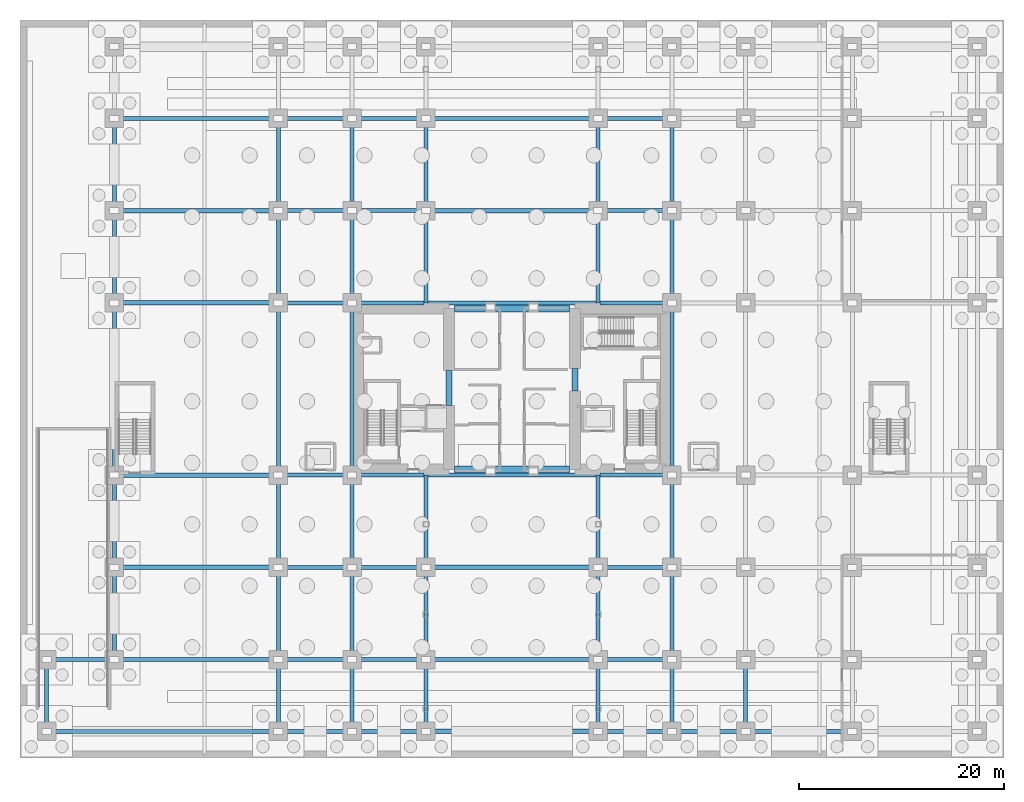
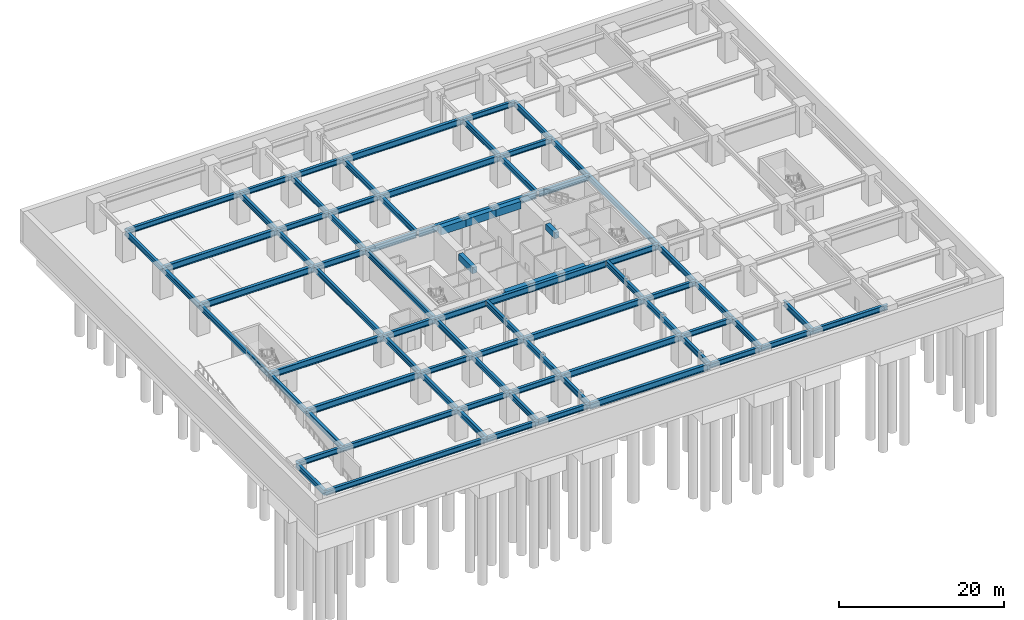
# One storey, part 6 of 23: 80 beams.
"""IFC4 building model written with IfcOpenShell, lengths in metres."""

from ifc_helpers import new_model, si_unit, direction, frame, origin, origin_2d, place, context, subcontext, project, spatial, rectangle, i_section, extrude, material, material_profile, profile_set, type_object, element, save


model = new_model("IFC4")

# Units and contexts
model_context = context("Model", 3, precision=1e-05, world=origin(), true_north=direction((0.0, 1.0)))
body_context = subcontext(model_context, "Body", "Model", "MODEL_VIEW")
ifc_project = project(units=[si_unit("LENGTHUNIT", "METRE"), si_unit("AREAUNIT", "SQUARE_METRE"), si_unit("VOLUMEUNIT", "CUBIC_METRE"), si_unit("PLANEANGLEUNIT", "RADIAN"), si_unit("MASSUNIT", "GRAM", prefix="KILO")], contexts=[model_context])

# Site, building, storey
site_placement = place(None, origin())
site = spatial("IfcSite", under=ifc_project, at=site_placement, CompositionType="ELEMENT")
building_placement = place(site_placement, origin())
building = spatial("IfcBuilding", under=site, at=building_placement, Name="Kiyonajd Concourse Tower", CompositionType="ELEMENT")
storey_placement = place(building_placement, frame((0.0, 0.0, -9.0)))
storey = spatial("IfcBuildingStorey", under=building, at=storey_placement, Name="B2", CompositionType="ELEMENT", Elevation=-9.0)

# Beams
ifc_material_1 = material(Name="Steel ASTM A992 Grade 50", Category="steel")
ifc_material_profile_1 = material_profile(ifc_material_1, i_section(OverallWidth=0.423095703125, OverallDepth=0.93310546875, WebThickness=0.02392578125, FlangeThickness=0.042724609375, at=origin_2d()), Name="W920X446")
ifc_profile_set_1 = profile_set([ifc_material_profile_1], Name="Steel ASTM A992 Grade 50")
beam_type_1 = type_object("IfcBeamType", Name="BM-AUD-920A", PredefinedType="BEAM", material=ifc_profile_set_1)
for number, where, z_axis, x_axis, name in (
    (1, (9.199951171875, 18.60009765625, 3.71337890625), (1.0, 0.0, 0.0), (0.0, 1.0, 0.0), "B2 Auditorium Clear Span Girder"),
    (2, (9.199951171875, 27.60009765625, 3.71337890625), (1.0, 0.0, 0.0), (0.0, 1.0, 0.0), "B2 Auditorium Clear Span Girder"),
    (3, (9.199951171875, 44.39990234375, 3.71337890625), (1.0, 0.0, 0.0), (0.0, 1.0, 0.0), "B2 Auditorium Clear Span Girder"),
    (4, (9.199951171875, 53.39990234375, 3.71337890625), (1.0, 0.0, 0.0), (0.0, 1.0, 0.0), "B2 Auditorium Clear Span Girder"),
):
    element("IfcBeam", number, at=place(storey_placement, frame(where, z_axis=z_axis, x_axis=x_axis)), inside=storey, type_object=beam_type_1, Name=name, PredefinedType="BEAM", context=body_context, shape_type="SweptSolid", body=[
        extrude(i_section(OverallWidth=0.423095703125, OverallDepth=0.93310546875, WebThickness=0.02392578125, FlangeThickness=0.042724609375, at=origin_2d()), origin(), (0.0, 0.0, 1.0), 16.0),
    ])
ifc_material_profile_2 = material_profile(ifc_material_1, i_section(OverallWidth=0.41796875, OverallDepth=0.912109375, WebThickness=0.019287109375, FlangeThickness=0.031982421875, at=origin_2d()), Name="W920X342")
ifc_profile_set_2 = profile_set([ifc_material_profile_2], Name="Steel ASTM A992 Grade 50")
beam_type_2 = type_object("IfcBeamType", Name="BM-CON-920B", PredefinedType="BEAM", material=ifc_profile_set_2)
for number, where, z_axis, x_axis, name in (
    (5, (39.60009765625, 2.60009765625, 3.72412109375), (1.0, 0.0, 0.0), (0.0, 1.0, 0.0), "B2 Concourse Clear Span Girder"),
    (6, (39.60009765625, 9.60009765625, 3.72412109375), (1.0, 0.0, 0.0), (0.0, 1.0, 0.0), "B2 Concourse Clear Span Girder"),
    (7, (39.60009765625, 18.60009765625, 3.72412109375), (1.0, 0.0, 0.0), (0.0, 1.0, 0.0), "B2 Concourse Clear Span Girder"),
):
    element("IfcBeam", number, at=place(storey_placement, frame(where, z_axis=z_axis, x_axis=x_axis)), inside=storey, type_object=beam_type_2, Name=name, PredefinedType="BEAM", context=body_context, shape_type="SweptSolid", body=[
        extrude(i_section(OverallWidth=0.41796875, OverallDepth=0.912109375, WebThickness=0.019287109375, FlangeThickness=0.031982421875, at=origin_2d()), origin(), (0.0, 0.0, 1.0), 16.7998046875),
    ])
for number, where, z_axis, x_axis, name in (
    (8, (39.79052734375, 27.60009765625, 3.72412109375), (1.0, 0.0, 0.0), (0.0, 1.0, 0.0), "B2 Concourse Clear Span Girder"),
    (9, (39.79052734375, 44.39990234375, 3.72412109375), (1.0, 0.0, 0.0), (0.0, 1.0, 0.0), "B2 Concourse Clear Span Girder"),
):
    element("IfcBeam", number, at=place(storey_placement, frame(where, z_axis=z_axis, x_axis=x_axis)), inside=storey, type_object=beam_type_2, Name=name, PredefinedType="BEAM", context=body_context, shape_type="SweptSolid", body=[
        extrude(i_section(OverallWidth=0.41796875, OverallDepth=0.912109375, WebThickness=0.019287109375, FlangeThickness=0.031982421875, at=origin_2d()), origin(), (0.0, 0.0, 1.0), 16.4189453125),
    ])
for number, where, z_axis, x_axis, name in (
    (10, (39.60009765625, 53.39990234375, 3.72412109375), (1.0, 0.0, 0.0), (0.0, 1.0, 0.0), "B2 Concourse Clear Span Girder"),
    (11, (39.60009765625, 62.39990234375, 3.72412109375), (1.0, 0.0, 0.0), (0.0, 1.0, 0.0), "B2 Concourse Clear Span Girder"),
):
    element("IfcBeam", number, at=place(storey_placement, frame(where, z_axis=z_axis, x_axis=x_axis)), inside=storey, type_object=beam_type_2, Name=name, PredefinedType="BEAM", context=body_context, shape_type="SweptSolid", body=[
        extrude(i_section(OverallWidth=0.41796875, OverallDepth=0.912109375, WebThickness=0.019287109375, FlangeThickness=0.031982421875, at=origin_2d()), origin(), (0.0, 0.0, 1.0), 16.7998046875),
    ])
ifc_material_2 = material(Name="Concrete C70/85", Category="concrete")
ifc_material_profile_3 = material_profile(ifc_material_2, rectangle(XDim=0.699951171875, YDim=1.10009765625, at=origin_2d()), Name="RCBM-700x1100")
ifc_profile_set_3 = profile_set([ifc_material_profile_3], Name="Concrete C70/85")
beam_type_3 = type_object("IfcBeamType", Name="BM-COUP-1100", PredefinedType="LINTEL", material=ifc_profile_set_3)
beam_1_placement = place(storey_placement, frame((42.39990234375, 28.14990234375, 3.6298828125), z_axis=(1.0, 0.0, 0.0), x_axis=(0.0, 1.0, 0.0)))
element("IfcBeam", 12, at=beam_1_placement, inside=storey, type_object=beam_type_3, Name="B2 Core Coupling Beam S1", PredefinedType="LINTEL", context=body_context, shape_type="SweptSolid", body=[
    extrude(rectangle(XDim=0.699951171875, YDim=1.10009765625, at=origin_2d()), origin(), (0.0, 0.0, 1.0), 3.5),
])
beam_2_placement = place(storey_placement, frame((45.89990234375, 28.14990234375, 3.6298828125), z_axis=(1.0, 0.0, 0.0), x_axis=(0.0, 1.0, 0.0)))
element("IfcBeam", 13, at=beam_2_placement, inside=storey, type_object=beam_type_3, Name="B2 Core Coupling Beam S2", PredefinedType="LINTEL", context=body_context, shape_type="SweptSolid", body=[
    extrude(rectangle(XDim=0.699951171875, YDim=1.10009765625, at=origin_2d()), origin(), (0.0, 0.0, 1.0), 4.2001953125),
])
for number, where, z_axis, x_axis, name in (
    (14, (50.10009765625, 28.14990234375, 3.6298828125), (1.0, 0.0, 0.0), (0.0, 1.0, 0.0), "B2 Core Coupling Beam S3"),
    (15, (42.39990234375, 43.85009765625, 3.6298828125), (1.0, 0.0, 0.0), (0.0, 1.0, 0.0), "B2 Core Coupling Beam N1"),
):
    element("IfcBeam", number, at=place(storey_placement, frame(where, z_axis=z_axis, x_axis=x_axis)), inside=storey, type_object=beam_type_3, Name=name, PredefinedType="LINTEL", context=body_context, shape_type="SweptSolid", body=[
        extrude(rectangle(XDim=0.699951171875, YDim=1.10009765625, at=origin_2d()), origin(), (0.0, 0.0, 1.0), 3.5),
    ])
beam_3_placement = place(storey_placement, frame((45.89990234375, 43.85009765625, 3.6298828125), z_axis=(1.0, 0.0, 0.0), x_axis=(0.0, 1.0, 0.0)))
element("IfcBeam", 16, at=beam_3_placement, inside=storey, type_object=beam_type_3, Name="B2 Core Coupling Beam N2", PredefinedType="LINTEL", context=body_context, shape_type="SweptSolid", body=[
    extrude(rectangle(XDim=0.699951171875, YDim=1.10009765625, at=origin_2d()), origin(), (0.0, 0.0, 1.0), 4.2001953125),
])
beam_4_placement = place(storey_placement, frame((50.10009765625, 43.85009765625, 3.6298828125), z_axis=(1.0, 0.0, 0.0), x_axis=(0.0, 1.0, 0.0)))
element("IfcBeam", 17, at=beam_4_placement, inside=storey, type_object=beam_type_3, Name="B2 Core Coupling Beam N3", PredefinedType="LINTEL", context=body_context, shape_type="SweptSolid", body=[
    extrude(rectangle(XDim=0.699951171875, YDim=1.10009765625, at=origin_2d()), origin(), (0.0, 0.0, 1.0), 3.5),
])
ifc_material_3 = material(Name="Concrete C60/75", Category="concrete")
ifc_material_profile_4 = material_profile(ifc_material_3, rectangle(XDim=0.60009765625, YDim=0.89990234375, at=origin_2d()), Name="RCBM-600x900")
ifc_profile_set_4 = profile_set([ifc_material_profile_4], Name="Concrete C60/75")
beam_type_4 = type_object("IfcBeamType", Name="BM-COUP-900", PredefinedType="LINTEL", material=ifc_profile_set_4)
beam_5_placement = place(storey_placement, frame((41.85009765625, 34.39990234375, 3.6298828125), z_axis=(0.0, 1.0, 0.0), x_axis=(-1.0, 0.0, 0.0)))
element("IfcBeam", 18, at=beam_5_placement, inside=storey, type_object=beam_type_4, Name="B2 West Core Throat Coupling Lintel", PredefinedType="LINTEL", context=body_context, shape_type="SweptSolid", body=[
    extrude(rectangle(XDim=0.60009765625, YDim=0.89990234375, at=origin_2d()), origin(), (0.0, 0.0, 1.0), 3.400146484375),
])
beam_6_placement = place(storey_placement, frame((54.14990234375, 35.800048828125, 3.6298828125), z_axis=(0.0, 1.0, 0.0), x_axis=(-1.0, 0.0, 0.0)))
element("IfcBeam", 19, at=beam_6_placement, inside=storey, type_object=beam_type_4, Name="B2 East Core Throat Coupling Lintel", PredefinedType="LINTEL", context=body_context, shape_type="SweptSolid", body=[
    extrude(rectangle(XDim=0.60009765625, YDim=0.89990234375, at=origin_2d()), origin(), (0.0, 0.0, 1.0), 2.199951171875),
])
ifc_material_profile_5 = material_profile(ifc_material_1, i_section(OverallWidth=0.381103515625, OverallDepth=0.77294921875, WebThickness=0.0166015625, FlangeThickness=0.027099609375, at=origin_2d()), Name="W760X257")
ifc_profile_set_5 = profile_set([ifc_material_profile_5], Name="Steel ASTM A992 Grade 50")
beam_type_5 = type_object("IfcBeamType", Name="BM-POD-760", PredefinedType="BEAM", material=ifc_profile_set_5)
beam_7_placement = place(storey_placement, frame((2.60009765625, 2.60009765625, 3.79345703125), z_axis=(1.0, 0.0, 0.0), x_axis=(0.0, 1.0, 0.0)))
element("IfcBeam", 20, at=beam_7_placement, inside=storey, type_object=beam_type_5, Name="B2 Podium Primary Beam", PredefinedType="BEAM", context=body_context, shape_type="SweptSolid", body=[
    extrude(i_section(OverallWidth=0.381103515625, OverallDepth=0.77294921875, WebThickness=0.0166015625, FlangeThickness=0.027099609375, at=origin_2d()), origin(), (0.0, 0.0, 1.0), 22.599853515625),
])
beam_8_placement = place(storey_placement, frame((25.199951171875, 2.60009765625, 3.79345703125), z_axis=(1.0, 0.0, 0.0), x_axis=(0.0, 1.0, 0.0)))
element("IfcBeam", 21, at=beam_8_placement, inside=storey, type_object=beam_type_5, Name="B2 Podium Primary Beam", PredefinedType="BEAM", context=body_context, shape_type="SweptSolid", body=[
    extrude(i_section(OverallWidth=0.381103515625, OverallDepth=0.77294921875, WebThickness=0.0166015625, FlangeThickness=0.027099609375, at=origin_2d()), origin(), (0.0, 0.0, 1.0), 7.199951171875),
])
for number, where, z_axis, x_axis, name in (
    (22, (32.39990234375, 2.60009765625, 3.79345703125), (1.0, 0.0, 0.0), (0.0, 1.0, 0.0), "B2 Podium Primary Beam"),
    (23, (56.39990234375, 2.60009765625, 3.79345703125), (1.0, 0.0, 0.0), (0.0, 1.0, 0.0), "B2 Podium Primary Beam"),
):
    element("IfcBeam", number, at=place(storey_placement, frame(where, z_axis=z_axis, x_axis=x_axis)), inside=storey, type_object=beam_type_5, Name=name, PredefinedType="BEAM", context=body_context, shape_type="SweptSolid", body=[
        extrude(i_section(OverallWidth=0.381103515625, OverallDepth=0.77294921875, WebThickness=0.0166015625, FlangeThickness=0.027099609375, at=origin_2d()), origin(), (0.0, 0.0, 1.0), 7.2001953125),
    ])
beam_9_placement = place(storey_placement, frame((63.60009765625, 2.60009765625, 3.79345703125), z_axis=(1.0, 0.0, 0.0), x_axis=(0.0, 1.0, 0.0)))
element("IfcBeam", 24, at=beam_9_placement, inside=storey, type_object=beam_type_5, Name="B2 Podium Primary Beam", PredefinedType="BEAM", context=body_context, shape_type="SweptSolid", body=[
    extrude(i_section(OverallWidth=0.381103515625, OverallDepth=0.77294921875, WebThickness=0.0166015625, FlangeThickness=0.027099609375, at=origin_2d()), origin(), (0.0, 0.0, 1.0), 7.199951171875),
])
beam_10_placement = place(storey_placement, frame((70.800048828125, 2.60009765625, 3.79345703125), z_axis=(1.0, 0.0, 0.0), x_axis=(0.0, 1.0, 0.0)))
element("IfcBeam", 25, at=beam_10_placement, inside=storey, type_object=beam_type_5, Name="B2 Podium Primary Beam", PredefinedType="BEAM", context=body_context, shape_type="SweptSolid", body=[
    extrude(i_section(OverallWidth=0.381103515625, OverallDepth=0.77294921875, WebThickness=0.0166015625, FlangeThickness=0.027099609375, at=origin_2d()), origin(), (0.0, 0.0, 1.0), 10.39990234375),
])
beam_11_placement = place(storey_placement, frame((2.60009765625, 9.60009765625, 3.79345703125), z_axis=(1.0, 0.0, 0.0), x_axis=(0.0, 1.0, 0.0)))
element("IfcBeam", 26, at=beam_11_placement, inside=storey, type_object=beam_type_5, Name="B2 Podium Primary Beam", PredefinedType="BEAM", context=body_context, shape_type="SweptSolid", body=[
    extrude(i_section(OverallWidth=0.381103515625, OverallDepth=0.77294921875, WebThickness=0.0166015625, FlangeThickness=0.027099609375, at=origin_2d()), origin(), (0.0, 0.0, 1.0), 22.599853515625),
])
beam_12_placement = place(storey_placement, frame((25.199951171875, 9.60009765625, 3.79345703125), z_axis=(1.0, 0.0, 0.0), x_axis=(0.0, 1.0, 0.0)))
element("IfcBeam", 27, at=beam_12_placement, inside=storey, type_object=beam_type_5, Name="B2 Podium Primary Beam", PredefinedType="BEAM", context=body_context, shape_type="SweptSolid", body=[
    extrude(i_section(OverallWidth=0.381103515625, OverallDepth=0.77294921875, WebThickness=0.0166015625, FlangeThickness=0.027099609375, at=origin_2d()), origin(), (0.0, 0.0, 1.0), 7.199951171875),
])
for number, where, z_axis, x_axis, name in (
    (28, (32.39990234375, 9.60009765625, 3.79345703125), (1.0, 0.0, 0.0), (0.0, 1.0, 0.0), "B2 Podium Primary Beam"),
    (29, (56.39990234375, 9.60009765625, 3.79345703125), (1.0, 0.0, 0.0), (0.0, 1.0, 0.0), "B2 Podium Primary Beam"),
):
    element("IfcBeam", number, at=place(storey_placement, frame(where, z_axis=z_axis, x_axis=x_axis)), inside=storey, type_object=beam_type_5, Name=name, PredefinedType="BEAM", context=body_context, shape_type="SweptSolid", body=[
        extrude(i_section(OverallWidth=0.381103515625, OverallDepth=0.77294921875, WebThickness=0.0166015625, FlangeThickness=0.027099609375, at=origin_2d()), origin(), (0.0, 0.0, 1.0), 7.2001953125),
    ])
beam_13_placement = place(storey_placement, frame((25.199951171875, 18.60009765625, 3.79345703125), z_axis=(1.0, 0.0, 0.0), x_axis=(0.0, 1.0, 0.0)))
element("IfcBeam", 30, at=beam_13_placement, inside=storey, type_object=beam_type_5, Name="B2 Podium Primary Beam", PredefinedType="BEAM", context=body_context, shape_type="SweptSolid", body=[
    extrude(i_section(OverallWidth=0.381103515625, OverallDepth=0.77294921875, WebThickness=0.0166015625, FlangeThickness=0.027099609375, at=origin_2d()), origin(), (0.0, 0.0, 1.0), 7.199951171875),
])
for number, where, z_axis, x_axis, name in (
    (31, (32.39990234375, 18.60009765625, 3.79345703125), (1.0, 0.0, 0.0), (0.0, 1.0, 0.0), "B2 Podium Primary Beam"),
    (32, (56.39990234375, 18.60009765625, 3.79345703125), (1.0, 0.0, 0.0), (0.0, 1.0, 0.0), "B2 Podium Primary Beam"),
):
    element("IfcBeam", number, at=place(storey_placement, frame(where, z_axis=z_axis, x_axis=x_axis)), inside=storey, type_object=beam_type_5, Name=name, PredefinedType="BEAM", context=body_context, shape_type="SweptSolid", body=[
        extrude(i_section(OverallWidth=0.381103515625, OverallDepth=0.77294921875, WebThickness=0.0166015625, FlangeThickness=0.027099609375, at=origin_2d()), origin(), (0.0, 0.0, 1.0), 7.2001953125),
    ])
beam_14_placement = place(storey_placement, frame((25.199951171875, 53.39990234375, 3.79345703125), z_axis=(1.0, 0.0, 0.0), x_axis=(0.0, 1.0, 0.0)))
element("IfcBeam", 33, at=beam_14_placement, inside=storey, type_object=beam_type_5, Name="B2 Podium Primary Beam", PredefinedType="BEAM", context=body_context, shape_type="SweptSolid", body=[
    extrude(i_section(OverallWidth=0.381103515625, OverallDepth=0.77294921875, WebThickness=0.0166015625, FlangeThickness=0.027099609375, at=origin_2d()), origin(), (0.0, 0.0, 1.0), 7.199951171875),
])
for number, where, z_axis, x_axis, name in (
    (34, (32.39990234375, 53.39990234375, 3.79345703125), (1.0, 0.0, 0.0), (0.0, 1.0, 0.0), "B2 Podium Primary Beam"),
    (35, (56.39990234375, 53.39990234375, 3.79345703125), (1.0, 0.0, 0.0), (0.0, 1.0, 0.0), "B2 Podium Primary Beam"),
):
    element("IfcBeam", number, at=place(storey_placement, frame(where, z_axis=z_axis, x_axis=x_axis)), inside=storey, type_object=beam_type_5, Name=name, PredefinedType="BEAM", context=body_context, shape_type="SweptSolid", body=[
        extrude(i_section(OverallWidth=0.381103515625, OverallDepth=0.77294921875, WebThickness=0.0166015625, FlangeThickness=0.027099609375, at=origin_2d()), origin(), (0.0, 0.0, 1.0), 7.2001953125),
    ])
beam_15_placement = place(storey_placement, frame((9.199951171875, 62.39990234375, 3.79345703125), z_axis=(1.0, 0.0, 0.0), x_axis=(0.0, 1.0, 0.0)))
element("IfcBeam", 36, at=beam_15_placement, inside=storey, type_object=beam_type_5, Name="B2 Podium Primary Beam", PredefinedType="BEAM", context=body_context, shape_type="SweptSolid", body=[
    extrude(i_section(OverallWidth=0.381103515625, OverallDepth=0.77294921875, WebThickness=0.0166015625, FlangeThickness=0.027099609375, at=origin_2d()), origin(), (0.0, 0.0, 1.0), 16.0),
])
beam_16_placement = place(storey_placement, frame((25.199951171875, 62.39990234375, 3.79345703125), z_axis=(1.0, 0.0, 0.0), x_axis=(0.0, 1.0, 0.0)))
element("IfcBeam", 37, at=beam_16_placement, inside=storey, type_object=beam_type_5, Name="B2 Podium Primary Beam", PredefinedType="BEAM", context=body_context, shape_type="SweptSolid", body=[
    extrude(i_section(OverallWidth=0.381103515625, OverallDepth=0.77294921875, WebThickness=0.0166015625, FlangeThickness=0.027099609375, at=origin_2d()), origin(), (0.0, 0.0, 1.0), 7.199951171875),
])
for number, where, z_axis, x_axis, name in (
    (38, (32.39990234375, 62.39990234375, 3.79345703125), (1.0, 0.0, 0.0), (0.0, 1.0, 0.0), "B2 Podium Primary Beam"),
    (39, (56.39990234375, 62.39990234375, 3.79345703125), (1.0, 0.0, 0.0), (0.0, 1.0, 0.0), "B2 Podium Primary Beam"),
):
    element("IfcBeam", number, at=place(storey_placement, frame(where, z_axis=z_axis, x_axis=x_axis)), inside=storey, type_object=beam_type_5, Name=name, PredefinedType="BEAM", context=body_context, shape_type="SweptSolid", body=[
        extrude(i_section(OverallWidth=0.381103515625, OverallDepth=0.77294921875, WebThickness=0.0166015625, FlangeThickness=0.027099609375, at=origin_2d()), origin(), (0.0, 0.0, 1.0), 7.2001953125),
    ])
beam_17_placement = place(storey_placement, frame((2.60009765625, 2.60009765625, 3.79345703125), z_axis=(0.0, 1.0, 0.0), x_axis=(-1.0, 0.0, 0.0)))
element("IfcBeam", 40, at=beam_17_placement, inside=storey, type_object=beam_type_5, Name="B2 Podium North South Beam", PredefinedType="BEAM", context=body_context, shape_type="SweptSolid", body=[
    extrude(i_section(OverallWidth=0.381103515625, OverallDepth=0.77294921875, WebThickness=0.0166015625, FlangeThickness=0.027099609375, at=origin_2d()), origin(), (0.0, 0.0, 1.0), 7.0),
])
for number, where, z_axis, x_axis, name in (
    (41, (9.199951171875, 9.60009765625, 3.79345703125), (0.0, 1.0, 0.0), (-1.0, 0.0, 0.0), "B2 Podium North South Beam"),
    (42, (9.199951171875, 18.60009765625, 3.79345703125), (0.0, 1.0, 0.0), (-1.0, 0.0, 0.0), "B2 Podium North South Beam"),
):
    element("IfcBeam", number, at=place(storey_placement, frame(where, z_axis=z_axis, x_axis=x_axis)), inside=storey, type_object=beam_type_5, Name=name, PredefinedType="BEAM", context=body_context, shape_type="SweptSolid", body=[
        extrude(i_section(OverallWidth=0.381103515625, OverallDepth=0.77294921875, WebThickness=0.0166015625, FlangeThickness=0.027099609375, at=origin_2d()), origin(), (0.0, 0.0, 1.0), 9.0),
    ])
beam_18_placement = place(storey_placement, frame((9.199951171875, 27.60009765625, 3.79345703125), z_axis=(0.0, 1.0, 0.0), x_axis=(-1.0, 0.0, 0.0)))
element("IfcBeam", 43, at=beam_18_placement, inside=storey, type_object=beam_type_5, Name="B2 Podium North South Beam", PredefinedType="BEAM", context=body_context, shape_type="SweptSolid", body=[
    extrude(i_section(OverallWidth=0.381103515625, OverallDepth=0.77294921875, WebThickness=0.0166015625, FlangeThickness=0.027099609375, at=origin_2d()), origin(), (0.0, 0.0, 1.0), 16.7998046875),
])
for number, where, z_axis, x_axis, name in (
    (44, (9.199951171875, 44.39990234375, 3.79345703125), (0.0, 1.0, 0.0), (-1.0, 0.0, 0.0), "B2 Podium North South Beam"),
    (45, (9.199951171875, 53.39990234375, 3.79345703125), (0.0, 1.0, 0.0), (-1.0, 0.0, 0.0), "B2 Podium North South Beam"),
):
    element("IfcBeam", number, at=place(storey_placement, frame(where, z_axis=z_axis, x_axis=x_axis)), inside=storey, type_object=beam_type_5, Name=name, PredefinedType="BEAM", context=body_context, shape_type="SweptSolid", body=[
        extrude(i_section(OverallWidth=0.381103515625, OverallDepth=0.77294921875, WebThickness=0.0166015625, FlangeThickness=0.027099609375, at=origin_2d()), origin(), (0.0, 0.0, 1.0), 9.0),
    ])
beam_19_placement = place(storey_placement, frame((25.199951171875, 2.60009765625, 3.79345703125), z_axis=(0.0, 1.0, 0.0), x_axis=(-1.0, 0.0, 0.0)))
element("IfcBeam", 46, at=beam_19_placement, inside=storey, type_object=beam_type_5, Name="B2 Podium North South Beam", PredefinedType="BEAM", context=body_context, shape_type="SweptSolid", body=[
    extrude(i_section(OverallWidth=0.381103515625, OverallDepth=0.77294921875, WebThickness=0.0166015625, FlangeThickness=0.027099609375, at=origin_2d()), origin(), (0.0, 0.0, 1.0), 7.0),
])
for number, where, z_axis, x_axis, name in (
    (47, (25.199951171875, 9.60009765625, 3.79345703125), (0.0, 1.0, 0.0), (-1.0, 0.0, 0.0), "B2 Podium North South Beam"),
    (48, (25.199951171875, 18.60009765625, 3.79345703125), (0.0, 1.0, 0.0), (-1.0, 0.0, 0.0), "B2 Podium North South Beam"),
):
    element("IfcBeam", number, at=place(storey_placement, frame(where, z_axis=z_axis, x_axis=x_axis)), inside=storey, type_object=beam_type_5, Name=name, PredefinedType="BEAM", context=body_context, shape_type="SweptSolid", body=[
        extrude(i_section(OverallWidth=0.381103515625, OverallDepth=0.77294921875, WebThickness=0.0166015625, FlangeThickness=0.027099609375, at=origin_2d()), origin(), (0.0, 0.0, 1.0), 9.0),
    ])
beam_20_placement = place(storey_placement, frame((25.199951171875, 27.60009765625, 3.79345703125), z_axis=(0.0, 1.0, 0.0), x_axis=(-1.0, 0.0, 0.0)))
element("IfcBeam", 49, at=beam_20_placement, inside=storey, type_object=beam_type_5, Name="B2 Podium North South Beam", PredefinedType="BEAM", context=body_context, shape_type="SweptSolid", body=[
    extrude(i_section(OverallWidth=0.381103515625, OverallDepth=0.77294921875, WebThickness=0.0166015625, FlangeThickness=0.027099609375, at=origin_2d()), origin(), (0.0, 0.0, 1.0), 16.7998046875),
])
for number, where, z_axis, x_axis, name in (
    (50, (25.199951171875, 44.39990234375, 3.79345703125), (0.0, 1.0, 0.0), (-1.0, 0.0, 0.0), "B2 Podium North South Beam"),
    (51, (25.199951171875, 53.39990234375, 3.79345703125), (0.0, 1.0, 0.0), (-1.0, 0.0, 0.0), "B2 Podium North South Beam"),
):
    element("IfcBeam", number, at=place(storey_placement, frame(where, z_axis=z_axis, x_axis=x_axis)), inside=storey, type_object=beam_type_5, Name=name, PredefinedType="BEAM", context=body_context, shape_type="SweptSolid", body=[
        extrude(i_section(OverallWidth=0.381103515625, OverallDepth=0.77294921875, WebThickness=0.0166015625, FlangeThickness=0.027099609375, at=origin_2d()), origin(), (0.0, 0.0, 1.0), 9.0),
    ])
beam_21_placement = place(storey_placement, frame((32.39990234375, 2.60009765625, 3.79345703125), z_axis=(0.0, 1.0, 0.0), x_axis=(-1.0, 0.0, 0.0)))
element("IfcBeam", 52, at=beam_21_placement, inside=storey, type_object=beam_type_5, Name="B2 Podium North South Beam", PredefinedType="BEAM", context=body_context, shape_type="SweptSolid", body=[
    extrude(i_section(OverallWidth=0.381103515625, OverallDepth=0.77294921875, WebThickness=0.0166015625, FlangeThickness=0.027099609375, at=origin_2d()), origin(), (0.0, 0.0, 1.0), 7.0),
])
for number, where, z_axis, x_axis, name in (
    (53, (32.39990234375, 9.60009765625, 3.79345703125), (0.0, 1.0, 0.0), (-1.0, 0.0, 0.0), "B2 Podium North South Beam"),
    (54, (32.39990234375, 18.60009765625, 3.79345703125), (0.0, 1.0, 0.0), (-1.0, 0.0, 0.0), "B2 Podium North South Beam"),
):
    element("IfcBeam", number, at=place(storey_placement, frame(where, z_axis=z_axis, x_axis=x_axis)), inside=storey, type_object=beam_type_5, Name=name, PredefinedType="BEAM", context=body_context, shape_type="SweptSolid", body=[
        extrude(i_section(OverallWidth=0.381103515625, OverallDepth=0.77294921875, WebThickness=0.0166015625, FlangeThickness=0.027099609375, at=origin_2d()), origin(), (0.0, 0.0, 1.0), 9.0),
    ])
beam_22_placement = place(storey_placement, frame((32.39990234375, 27.60009765625, 3.79345703125), z_axis=(0.0, 1.0, 0.0), x_axis=(-1.0, 0.0, 0.0)))
element("IfcBeam", 55, at=beam_22_placement, inside=storey, type_object=beam_type_5, Name="B2 Podium North South Beam", PredefinedType="BEAM", context=body_context, shape_type="SweptSolid", body=[
    extrude(i_section(OverallWidth=0.381103515625, OverallDepth=0.77294921875, WebThickness=0.0166015625, FlangeThickness=0.027099609375, at=origin_2d()), origin(), (0.0, 0.0, 1.0), 16.7998046875),
])
for number, where, z_axis, x_axis, name in (
    (56, (32.39990234375, 44.39990234375, 3.79345703125), (0.0, 1.0, 0.0), (-1.0, 0.0, 0.0), "B2 Podium North South Beam"),
    (57, (32.39990234375, 53.39990234375, 3.79345703125), (0.0, 1.0, 0.0), (-1.0, 0.0, 0.0), "B2 Podium North South Beam"),
):
    element("IfcBeam", number, at=place(storey_placement, frame(where, z_axis=z_axis, x_axis=x_axis)), inside=storey, type_object=beam_type_5, Name=name, PredefinedType="BEAM", context=body_context, shape_type="SweptSolid", body=[
        extrude(i_section(OverallWidth=0.381103515625, OverallDepth=0.77294921875, WebThickness=0.0166015625, FlangeThickness=0.027099609375, at=origin_2d()), origin(), (0.0, 0.0, 1.0), 9.0),
    ])
beam_23_placement = place(storey_placement, frame((39.60009765625, 2.60009765625, 3.79345703125), z_axis=(0.0, 1.0, 0.0), x_axis=(-1.0, 0.0, 0.0)))
element("IfcBeam", 58, at=beam_23_placement, inside=storey, type_object=beam_type_5, Name="B2 Podium North South Beam", PredefinedType="BEAM", context=body_context, shape_type="SweptSolid", body=[
    extrude(i_section(OverallWidth=0.381103515625, OverallDepth=0.77294921875, WebThickness=0.0166015625, FlangeThickness=0.027099609375, at=origin_2d()), origin(), (0.0, 0.0, 1.0), 7.0),
])
for number, where, z_axis, x_axis, name in (
    (59, (39.60009765625, 9.60009765625, 3.79345703125), (0.0, 1.0, 0.0), (-1.0, 0.0, 0.0), "B2 Podium North South Beam"),
    (60, (39.60009765625, 18.60009765625, 3.79345703125), (0.0, 1.0, 0.0), (-1.0, 0.0, 0.0), "B2 Podium North South Beam"),
    (61, (39.60009765625, 44.39990234375, 3.79345703125), (0.0, 1.0, 0.0), (-1.0, 0.0, 0.0), "B2 Podium North South Beam"),
    (62, (39.60009765625, 53.39990234375, 3.79345703125), (0.0, 1.0, 0.0), (-1.0, 0.0, 0.0), "B2 Podium North South Beam"),
):
    element("IfcBeam", number, at=place(storey_placement, frame(where, z_axis=z_axis, x_axis=x_axis)), inside=storey, type_object=beam_type_5, Name=name, PredefinedType="BEAM", context=body_context, shape_type="SweptSolid", body=[
        extrude(i_section(OverallWidth=0.381103515625, OverallDepth=0.77294921875, WebThickness=0.0166015625, FlangeThickness=0.027099609375, at=origin_2d()), origin(), (0.0, 0.0, 1.0), 9.0),
    ])
beam_24_placement = place(storey_placement, frame((56.39990234375, 2.60009765625, 3.79345703125), z_axis=(0.0, 1.0, 0.0), x_axis=(-1.0, 0.0, 0.0)))
element("IfcBeam", 63, at=beam_24_placement, inside=storey, type_object=beam_type_5, Name="B2 Podium North South Beam", PredefinedType="BEAM", context=body_context, shape_type="SweptSolid", body=[
    extrude(i_section(OverallWidth=0.381103515625, OverallDepth=0.77294921875, WebThickness=0.0166015625, FlangeThickness=0.027099609375, at=origin_2d()), origin(), (0.0, 0.0, 1.0), 7.0),
])
for number, where, z_axis, x_axis, name in (
    (64, (56.39990234375, 9.60009765625, 3.79345703125), (0.0, 1.0, 0.0), (-1.0, 0.0, 0.0), "B2 Podium North South Beam"),
    (65, (56.39990234375, 18.60009765625, 3.79345703125), (0.0, 1.0, 0.0), (-1.0, 0.0, 0.0), "B2 Podium North South Beam"),
    (66, (56.39990234375, 44.39990234375, 3.79345703125), (0.0, 1.0, 0.0), (-1.0, 0.0, 0.0), "B2 Podium North South Beam"),
    (67, (56.39990234375, 53.39990234375, 3.79345703125), (0.0, 1.0, 0.0), (-1.0, 0.0, 0.0), "B2 Podium North South Beam"),
):
    element("IfcBeam", number, at=place(storey_placement, frame(where, z_axis=z_axis, x_axis=x_axis)), inside=storey, type_object=beam_type_5, Name=name, PredefinedType="BEAM", context=body_context, shape_type="SweptSolid", body=[
        extrude(i_section(OverallWidth=0.381103515625, OverallDepth=0.77294921875, WebThickness=0.0166015625, FlangeThickness=0.027099609375, at=origin_2d()), origin(), (0.0, 0.0, 1.0), 9.0),
    ])
beam_25_placement = place(storey_placement, frame((63.60009765625, 2.60009765625, 3.79345703125), z_axis=(0.0, 1.0, 0.0), x_axis=(-1.0, 0.0, 0.0)))
element("IfcBeam", 68, at=beam_25_placement, inside=storey, type_object=beam_type_5, Name="B2 Podium North South Beam", PredefinedType="BEAM", context=body_context, shape_type="SweptSolid", body=[
    extrude(i_section(OverallWidth=0.381103515625, OverallDepth=0.77294921875, WebThickness=0.0166015625, FlangeThickness=0.027099609375, at=origin_2d()), origin(), (0.0, 0.0, 1.0), 7.0),
])
for number, where, z_axis, x_axis, name in (
    (69, (63.60009765625, 9.60009765625, 3.79345703125), (0.0, 1.0, 0.0), (-1.0, 0.0, 0.0), "B2 Podium North South Beam"),
    (70, (63.60009765625, 18.60009765625, 3.79345703125), (0.0, 1.0, 0.0), (-1.0, 0.0, 0.0), "B2 Podium North South Beam"),
):
    element("IfcBeam", number, at=place(storey_placement, frame(where, z_axis=z_axis, x_axis=x_axis)), inside=storey, type_object=beam_type_5, Name=name, PredefinedType="BEAM", context=body_context, shape_type="SweptSolid", body=[
        extrude(i_section(OverallWidth=0.381103515625, OverallDepth=0.77294921875, WebThickness=0.0166015625, FlangeThickness=0.027099609375, at=origin_2d()), origin(), (0.0, 0.0, 1.0), 9.0),
    ])
beam_26_placement = place(storey_placement, frame((63.60009765625, 27.60009765625, 3.79345703125), z_axis=(0.0, 1.0, 0.0), x_axis=(-1.0, 0.0, 0.0)))
element("IfcBeam", 71, at=beam_26_placement, inside=storey, type_object=beam_type_5, Name="B2 Podium North South Beam", PredefinedType="BEAM", context=body_context, shape_type="SweptSolid", body=[
    extrude(i_section(OverallWidth=0.381103515625, OverallDepth=0.77294921875, WebThickness=0.0166015625, FlangeThickness=0.027099609375, at=origin_2d()), origin(), (0.0, 0.0, 1.0), 16.7998046875),
])
for number, where, z_axis, x_axis, name in (
    (72, (63.60009765625, 44.39990234375, 3.79345703125), (0.0, 1.0, 0.0), (-1.0, 0.0, 0.0), "B2 Podium North South Beam"),
    (73, (63.60009765625, 53.39990234375, 3.79345703125), (0.0, 1.0, 0.0), (-1.0, 0.0, 0.0), "B2 Podium North South Beam"),
):
    element("IfcBeam", number, at=place(storey_placement, frame(where, z_axis=z_axis, x_axis=x_axis)), inside=storey, type_object=beam_type_5, Name=name, PredefinedType="BEAM", context=body_context, shape_type="SweptSolid", body=[
        extrude(i_section(OverallWidth=0.381103515625, OverallDepth=0.77294921875, WebThickness=0.0166015625, FlangeThickness=0.027099609375, at=origin_2d()), origin(), (0.0, 0.0, 1.0), 9.0),
    ])
beam_27_placement = place(storey_placement, frame((70.800048828125, 2.60009765625, 3.79345703125), z_axis=(0.0, 1.0, 0.0), x_axis=(-1.0, 0.0, 0.0)))
element("IfcBeam", 74, at=beam_27_placement, inside=storey, type_object=beam_type_5, Name="B2 Podium North South Beam", PredefinedType="BEAM", context=body_context, shape_type="SweptSolid", body=[
    extrude(i_section(OverallWidth=0.381103515625, OverallDepth=0.77294921875, WebThickness=0.0166015625, FlangeThickness=0.027099609375, at=origin_2d()), origin(), (0.0, 0.0, 1.0), 7.0),
])
ifc_material_profile_6 = material_profile(ifc_material_1, i_section(OverallWidth=0.39990234375, OverallDepth=0.85498046875, WebThickness=0.018310546875, FlangeThickness=0.029296875, at=origin_2d()), Name="W840X299")
ifc_profile_set_6 = profile_set([ifc_material_profile_6], Name="Steel ASTM A992 Grade 50")
beam_type_6 = type_object("IfcBeamType", Name="BM-POD-840", PredefinedType="BEAM", material=ifc_profile_set_6)
beam_28_placement = place(storey_placement, frame((25.199951171875, 27.60009765625, 3.75244140625), z_axis=(1.0, 0.0, 0.0), x_axis=(0.0, 1.0, 0.0)))
element("IfcBeam", 75, at=beam_28_placement, inside=storey, type_object=beam_type_6, Name="B2 Podium Primary Beam", PredefinedType="BEAM", context=body_context, shape_type="SweptSolid", body=[
    extrude(i_section(OverallWidth=0.39990234375, OverallDepth=0.85498046875, WebThickness=0.018310546875, FlangeThickness=0.029296875, at=origin_2d()), origin(), (0.0, 0.0, 1.0), 7.199951171875),
])
for number, where, z_axis, x_axis, name in (
    (76, (32.39990234375, 27.60009765625, 3.75244140625), (1.0, 0.0, 0.0), (0.0, 1.0, 0.0), "B2 Podium Primary Beam"),
    (77, (56.590576171875, 27.60009765625, 3.75244140625), (1.0, 0.0, 0.0), (0.0, 1.0, 0.0), "B2 Podium Primary Beam"),
):
    element("IfcBeam", number, at=place(storey_placement, frame(where, z_axis=z_axis, x_axis=x_axis)), inside=storey, type_object=beam_type_6, Name=name, PredefinedType="BEAM", context=body_context, shape_type="SweptSolid", body=[
        extrude(i_section(OverallWidth=0.39990234375, OverallDepth=0.85498046875, WebThickness=0.018310546875, FlangeThickness=0.029296875, at=origin_2d()), origin(), (0.0, 0.0, 1.0), 7.009521484375),
    ])
beam_29_placement = place(storey_placement, frame((25.199951171875, 44.39990234375, 3.75244140625), z_axis=(1.0, 0.0, 0.0), x_axis=(0.0, 1.0, 0.0)))
element("IfcBeam", 78, at=beam_29_placement, inside=storey, type_object=beam_type_6, Name="B2 Podium Primary Beam", PredefinedType="BEAM", context=body_context, shape_type="SweptSolid", body=[
    extrude(i_section(OverallWidth=0.39990234375, OverallDepth=0.85498046875, WebThickness=0.018310546875, FlangeThickness=0.029296875, at=origin_2d()), origin(), (0.0, 0.0, 1.0), 7.199951171875),
])
for number, where, z_axis, x_axis, name in (
    (79, (32.39990234375, 44.39990234375, 3.75244140625), (1.0, 0.0, 0.0), (0.0, 1.0, 0.0), "B2 Podium Primary Beam"),
    (80, (56.590576171875, 44.39990234375, 3.75244140625), (1.0, 0.0, 0.0), (0.0, 1.0, 0.0), "B2 Podium Primary Beam"),
):
    element("IfcBeam", number, at=place(storey_placement, frame(where, z_axis=z_axis, x_axis=x_axis)), inside=storey, type_object=beam_type_6, Name=name, PredefinedType="BEAM", context=body_context, shape_type="SweptSolid", body=[
        extrude(i_section(OverallWidth=0.39990234375, OverallDepth=0.85498046875, WebThickness=0.018310546875, FlangeThickness=0.029296875, at=origin_2d()), origin(), (0.0, 0.0, 1.0), 7.009521484375),
    ])

save(model, "model.ifc")
